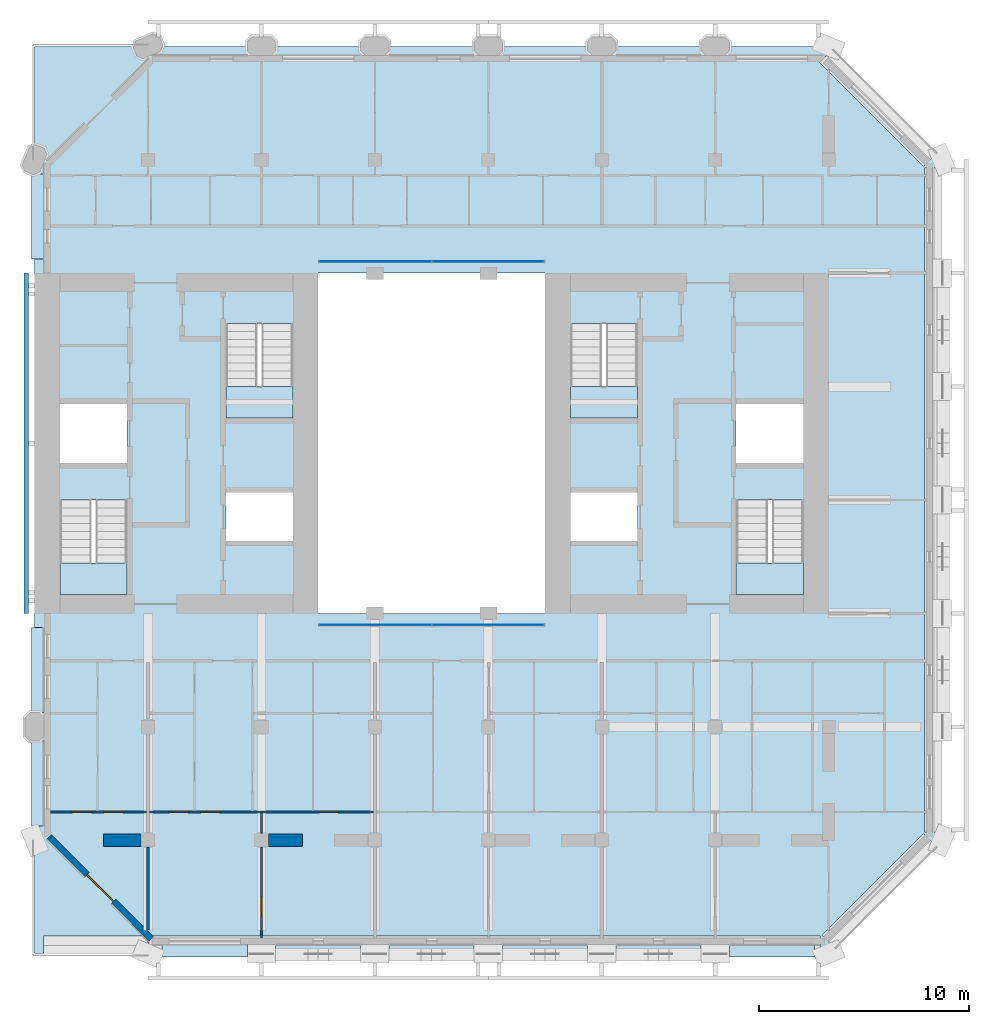
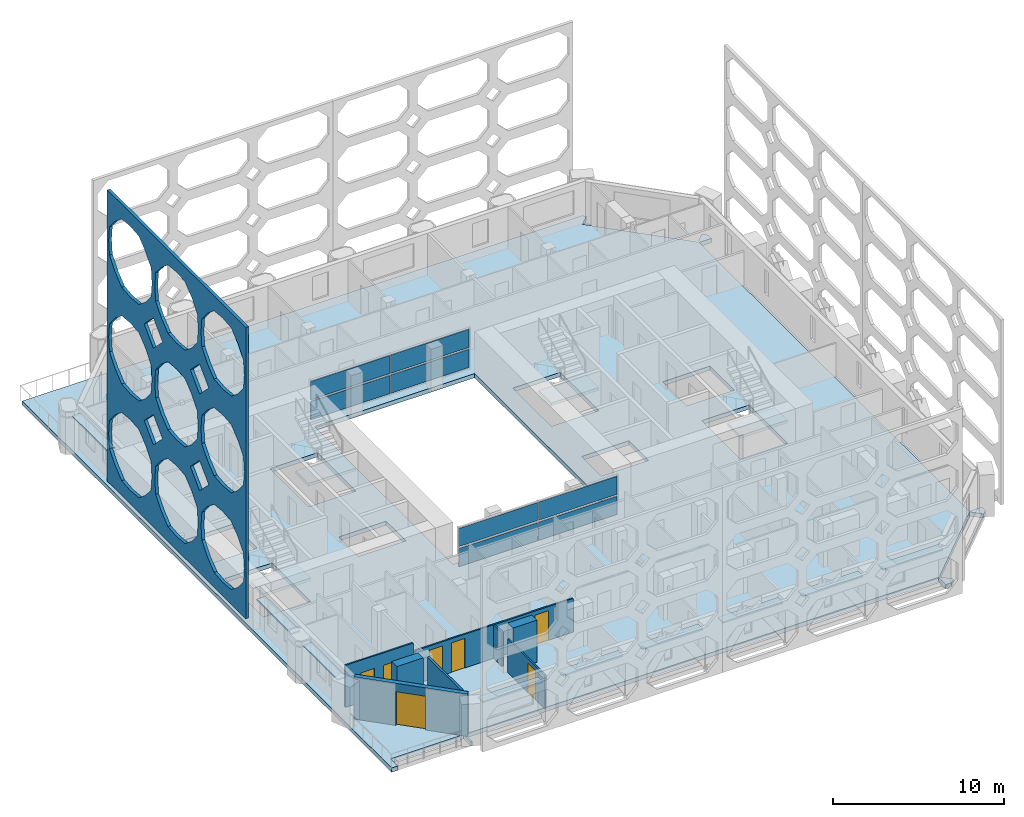
# One storey, part 5 of 15: 18 plates, 8 walls, 7 doors, 5 slabs, 7 openings, 6 elements without a shape of their own.
"""IFC4 building model written with IfcOpenShell, lengths in metres."""

from ifc_helpers import new_model, si_unit, direction, frame, frame_2d, origin, origin_2d, place, context, subcontext, project, spatial, polyline, rectangle, outline, extrude, material, layer, layer_set, type_object, element, fill, aggregate, save


model = new_model("IFC4")

# Units and contexts
model_context = context("Model", 3, precision=1e-05, world=origin(), true_north=direction((0.0, 1.0)))
body_context = subcontext(model_context, "Body", "Model", "MODEL_VIEW")
ifc_project = project(units=[si_unit("LENGTHUNIT", "METRE"), si_unit("AREAUNIT", "SQUARE_METRE"), si_unit("VOLUMEUNIT", "CUBIC_METRE"), si_unit("PLANEANGLEUNIT", "RADIAN"), si_unit("MASSUNIT", "GRAM", prefix="KILO")], contexts=[model_context])

# Site, building, storey
site_placement = place(None, origin())
site = spatial("IfcSite", under=ifc_project, at=site_placement, CompositionType="ELEMENT")
building_placement = place(site_placement, origin())
building = spatial("IfcBuilding", under=site, at=building_placement, Name="Tabaq Tower and Sports Hall", CompositionType="ELEMENT")
storey_placement = place(building_placement, frame((0.0, 0.0, 265.300048828125)))
storey = spatial("IfcBuildingStorey", under=building, at=storey_placement, Name="L64", CompositionType="ELEMENT", Elevation=265.300048828125)

# Curtain wall, plates
ifc_material_1 = material(Name="Aluminium alloy 6063-T6 framed glazing", Category="aluminium")
curtain_wall_type = type_object("IfcCurtainWallType", Name="CW1 curtain wall", PredefinedType="USERDEFINED", material=ifc_material_1)
curtain_wall_1_placement = place(storey_placement, origin())
curtain_wall_1 = element("IfcCurtainWall", 1, at=curtain_wall_1_placement, inside=storey, type_object=curtain_wall_type, Name="Atrium glazing L64 S", ObjectType="ATRIUM ENCLOSURE", PredefinedType="USERDEFINED")
ifc_material_2 = material(Name="Clear low-emissivity glass 28 mm", Category="glass")
ifc_layer_1 = layer(ifc_material_2, 0.028076171875)
ifc_layer_set_1 = layer_set([ifc_layer_1], Name="CW1 glass panel 28")
plate_type_1 = type_object("IfcPlateType", Name="CW1 glass panel 28", PredefinedType="CURTAIN_PANEL", material=ifc_layer_set_1)
plate_1_placement = place(storey_placement, frame((21.614990234375, 15.64990234375, 0.139892578125), z_axis=(0.0, 0.0, 1.0), x_axis=(1.0, 0.0, 0.0)))
plate_1 = element("IfcPlate", 2, at=plate_1_placement, type_object=plate_type_1, Name="CW1 panel 1.1", PredefinedType="CURTAIN_PANEL", context=body_context, shape_type="SweptSolid", body=[
    extrude(rectangle(XDim=5.31005859375, YDim=0.028076171875, at=origin_2d()), origin(), (0.0, 0.0, 1.0), 1.2900390625),
])
plate_2_placement = place(storey_placement, frame((21.614990234375, 15.64990234375, 1.56982421875), z_axis=(0.0, 0.0, 1.0), x_axis=(1.0, 0.0, 0.0)))
plate_2 = element("IfcPlate", 3, at=plate_2_placement, type_object=plate_type_1, Name="CW1 panel 1.2", PredefinedType="CURTAIN_PANEL", context=body_context, shape_type="SweptSolid", body=[
    extrude(rectangle(XDim=5.31005859375, YDim=0.028076171875, at=origin_2d()), origin(), (0.0, 0.0, 1.0), 1.2900390625),
])
plate_3_placement = place(storey_placement, frame((26.985107421875, 15.64990234375, 0.139892578125), z_axis=(0.0, 0.0, 1.0), x_axis=(1.0, 0.0, 0.0)))
plate_3 = element("IfcPlate", 4, at=plate_3_placement, type_object=plate_type_1, Name="CW1 panel 2.1", PredefinedType="CURTAIN_PANEL", context=body_context, shape_type="SweptSolid", body=[
    extrude(rectangle(XDim=5.31005859375, YDim=0.028076171875, at=origin_2d()), origin(), (0.0, 0.0, 1.0), 1.2900390625),
])
plate_4_placement = place(storey_placement, frame((26.985107421875, 15.64990234375, 1.56982421875), z_axis=(0.0, 0.0, 1.0), x_axis=(1.0, 0.0, 0.0)))
plate_4 = element("IfcPlate", 5, at=plate_4_placement, type_object=plate_type_1, Name="CW1 panel 2.2", PredefinedType="CURTAIN_PANEL", context=body_context, shape_type="SweptSolid", body=[
    extrude(rectangle(XDim=5.31005859375, YDim=0.028076171875, at=origin_2d()), origin(), (0.0, 0.0, 1.0), 1.2900390625),
])
aggregate(curtain_wall_1, [plate_1, plate_2, plate_3, plate_4])

curtain_wall_2_placement = place(storey_placement, origin())
curtain_wall_2 = element("IfcCurtainWall", 6, at=curtain_wall_2_placement, inside=storey, type_object=curtain_wall_type, Name="Atrium glazing L64 N", ObjectType="ATRIUM ENCLOSURE", PredefinedType="USERDEFINED")
plate_5_placement = place(storey_placement, frame((21.614990234375, 32.949951171875, 0.139892578125), z_axis=(0.0, 0.0, 1.0), x_axis=(1.0, 0.0, 0.0)))
plate_5 = element("IfcPlate", 7, at=plate_5_placement, type_object=plate_type_1, Name="CW1 panel 1.1", PredefinedType="CURTAIN_PANEL", context=body_context, shape_type="SweptSolid", body=[
    extrude(rectangle(XDim=5.31005859375, YDim=0.028076171875, at=origin_2d()), origin(), (0.0, 0.0, 1.0), 1.2900390625),
])
plate_6_placement = place(storey_placement, frame((21.614990234375, 32.949951171875, 1.56982421875), z_axis=(0.0, 0.0, 1.0), x_axis=(1.0, 0.0, 0.0)))
plate_6 = element("IfcPlate", 8, at=plate_6_placement, type_object=plate_type_1, Name="CW1 panel 1.2", PredefinedType="CURTAIN_PANEL", context=body_context, shape_type="SweptSolid", body=[
    extrude(rectangle(XDim=5.31005859375, YDim=0.028076171875, at=origin_2d()), origin(), (0.0, 0.0, 1.0), 1.2900390625),
])
plate_7_placement = place(storey_placement, frame((26.985107421875, 32.949951171875, 0.139892578125), z_axis=(0.0, 0.0, 1.0), x_axis=(1.0, 0.0, 0.0)))
plate_7 = element("IfcPlate", 9, at=plate_7_placement, type_object=plate_type_1, Name="CW1 panel 2.1", PredefinedType="CURTAIN_PANEL", context=body_context, shape_type="SweptSolid", body=[
    extrude(rectangle(XDim=5.31005859375, YDim=0.028076171875, at=origin_2d()), origin(), (0.0, 0.0, 1.0), 1.2900390625),
])
plate_8_placement = place(storey_placement, frame((26.985107421875, 32.949951171875, 1.56982421875), z_axis=(0.0, 0.0, 1.0), x_axis=(1.0, 0.0, 0.0)))
plate_8 = element("IfcPlate", 10, at=plate_8_placement, type_object=plate_type_1, Name="CW1 panel 2.2", PredefinedType="CURTAIN_PANEL", context=body_context, shape_type="SweptSolid", body=[
    extrude(rectangle(XDim=5.31005859375, YDim=0.028076171875, at=origin_2d()), origin(), (0.0, 0.0, 1.0), 1.2900390625),
])
aggregate(curtain_wall_2, [plate_5, plate_6, plate_7, plate_8])

# Stair, slab
ifc_material_3 = material(Name="Concrete C40/50", Category="concrete")
stair_type = type_object("IfcStairType", Name="Exit stair", PredefinedType="HALF_TURN_STAIR", material=ifc_material_3)
stair_1_placement = place(storey_placement, origin())
stair_1 = element("IfcStair", 11, at=stair_1_placement, inside=storey, type_object=stair_type, Name="L64 Exit stair ST1", PredefinedType="HALF_TURN_STAIR")
ifc_material_4 = material(Name="Concrete C40/50", Category="concrete")
ifc_layer_2 = layer(ifc_material_4, 0.199951171875)
ifc_layer_set_2 = layer_set([ifc_layer_2], Name="Exit stair landing")
slab_type_1 = type_object("IfcSlabType", Name="Exit stair landing", PredefinedType="LANDING", material=ifc_layer_set_2)
slab_1_placement = place(storey_placement, frame((0.0, 0.0, 1.449951171875)))
slab_1 = element("IfcSlab", 12, at=slab_1_placement, type_object=slab_type_1, Name="ST1 landing 1", PredefinedType="LANDING", context=body_context, shape_type="SweptSolid", body=[
    extrude(outline(polyline([(6.60009765625, 18.60009765625), (6.60009765625, 17.10009765625), (9.800048828125, 17.10009765625), (9.800048828125, 18.60009765625), (6.60009765625, 18.60009765625)])), origin(), (0.0, 0.0, 1.0), 0.199951171875),
])
aggregate(stair_1, [slab_1])

stair_2_placement = place(storey_placement, origin())
stair_2 = element("IfcStair", 13, at=stair_2_placement, inside=storey, type_object=stair_type, Name="L64 Exit stair ST2", PredefinedType="HALF_TURN_STAIR")
slab_2_placement = place(storey_placement, frame((0.0, 0.0, 1.449951171875)))
slab_2 = element("IfcSlab", 14, at=slab_2_placement, type_object=slab_type_1, Name="ST2 landing 1", PredefinedType="LANDING", context=body_context, shape_type="SweptSolid", body=[
    extrude(outline(polyline([(14.5, 27.0), (14.5, 25.5), (17.699951171875, 25.5), (17.699951171875, 27.0), (14.5, 27.0)])), origin(), (0.0, 0.0, 1.0), 0.199951171875),
])
aggregate(stair_2, [slab_2])

stair_3_placement = place(storey_placement, origin())
stair_3 = element("IfcStair", 15, at=stair_3_placement, inside=storey, type_object=stair_type, Name="L64 Exit stair ST3", PredefinedType="HALF_TURN_STAIR")
slab_3_placement = place(storey_placement, frame((0.0, 0.0, 1.449951171875)))
slab_3 = element("IfcSlab", 16, at=slab_3_placement, type_object=slab_type_1, Name="ST3 landing 1", PredefinedType="LANDING", context=body_context, shape_type="SweptSolid", body=[
    extrude(outline(polyline([(38.800048828125, 18.60009765625), (38.800048828125, 17.10009765625), (42.0, 17.10009765625), (42.0, 18.60009765625), (38.800048828125, 18.60009765625)])), origin(), (0.0, 0.0, 1.0), 0.199951171875),
])
aggregate(stair_3, [slab_3])

stair_4_placement = place(storey_placement, origin())
stair_4 = element("IfcStair", 17, at=stair_4_placement, inside=storey, type_object=stair_type, Name="L64 Exit stair ST4", PredefinedType="HALF_TURN_STAIR")
slab_4_placement = place(storey_placement, frame((0.0, 0.0, 1.449951171875)))
slab_4 = element("IfcSlab", 18, at=slab_4_placement, type_object=slab_type_1, Name="ST4 landing 1", PredefinedType="LANDING", context=body_context, shape_type="SweptSolid", body=[
    extrude(outline(polyline([(30.89990234375, 27.0), (30.89990234375, 25.5), (34.10009765625, 25.5), (34.10009765625, 27.0), (30.89990234375, 27.0)])), origin(), (0.0, 0.0, 1.0), 0.199951171875),
])
aggregate(stair_4, [slab_4])

# Slab
ifc_material_5 = material(Name="Concrete C40/50", Category="concrete")
ifc_layer_3 = layer(ifc_material_5, 0.300048828125)
ifc_layer_set_3 = layer_set([ifc_layer_3], Name="PT FLOOR SLAB 300 C40/50")
slab_type_2 = type_object("IfcSlabType", Name="PT FLOOR SLAB 300 C40/50", PredefinedType="FLOOR", material=ifc_layer_set_3)
slab_5_placement = place(storey_placement, frame((0.0, 0.0, -0.300048828125)))
element("IfcSlab", 19, at=slab_5_placement, inside=storey, type_object=slab_type_2, Name="Floor Slab L64", PredefinedType="FLOOR", context=body_context, shape_type="SweptSolid", body=[
    extrude(outline(polyline([(5.39990234375, 43.199951171875), (5.39990234375, 37.800048828125), (5.39990234375, 5.39990234375), (5.39990234375, 0.0), (5.81494140625, 0.0), (5.81494140625, 0.75), (5.81494140625, 0.85009765625), (10.75, 0.85009765625), (10.75, 0.75), (10.75, 0.0), (10.800048828125, 0.0), (10.85009765625, 0.0), (10.85009765625, 0.75), (10.85009765625, 0.85009765625), (42.7978515625, 0.85009765625), (42.7978515625, 0.75), (42.7978515625, 0.0), (43.199951171875, 0.0), (43.484375, 0.284423828125), (42.88330078125, 0.88525390625), (47.714599609375, 5.716796875), (47.785400390625, 5.64599609375), (48.315673828125, 5.11572265625), (48.60009765625, 5.39990234375), (48.60009765625, 5.802001953125), (47.85009765625, 5.802001953125), (47.75, 5.802001953125), (47.75, 37.39794921875), (47.85009765625, 37.39794921875), (48.60009765625, 37.39794921875), (48.60009765625, 37.800048828125), (48.315673828125, 38.084228515625), (47.785400390625, 37.553955078125), (47.714599609375, 37.483154296875), (42.775634765625, 42.422119140625), (42.846435546875, 42.492919921875), (43.376708984375, 43.023193359375), (43.199951171875, 43.199951171875), (10.800048828125, 43.199951171875), (5.39990234375, 43.199951171875)]), holes=[polyline([(6.60009765625, 21.599365234375), (9.800048828125, 21.599365234375), (9.800048828125, 17.10009765625), (6.60009765625, 17.10009765625), (6.60009765625, 21.599365234375)]), polyline([(38.800048828125, 21.599365234375), (42.0, 21.599365234375), (42.0, 17.10009765625), (38.800048828125, 17.10009765625), (38.800048828125, 21.599365234375)]), polyline([(14.5, 21.949951171875), (17.699951171875, 21.949951171875), (17.699951171875, 19.64990234375), (14.5, 19.64990234375), (14.5, 21.949951171875)]), polyline([(30.89990234375, 21.949951171875), (34.10009765625, 21.949951171875), (34.10009765625, 19.64990234375), (30.89990234375, 19.64990234375), (30.89990234375, 21.949951171875)]), polyline([(18.89990234375, 16.199951171875), (18.89990234375, 32.39990234375), (29.699951171875, 32.39990234375), (29.699951171875, 16.199951171875), (18.89990234375, 16.199951171875)]), polyline([(6.60009765625, 26.175048828125), (9.800048828125, 26.175048828125), (9.800048828125, 23.35009765625), (6.60009765625, 23.35009765625), (6.60009765625, 26.175048828125)]), polyline([(38.800048828125, 26.175048828125), (42.0, 26.175048828125), (42.0, 23.35009765625), (38.800048828125, 23.35009765625), (38.800048828125, 26.175048828125)]), polyline([(17.699951171875, 29.99951171875), (17.699951171875, 25.5), (14.5, 25.5), (14.5, 29.99951171875), (17.699951171875, 29.99951171875)]), polyline([(34.10009765625, 29.99951171875), (34.10009765625, 25.5), (30.89990234375, 25.5), (30.89990234375, 29.99951171875), (34.10009765625, 29.99951171875)])]), origin(), (0.0, 0.0, 1.0), 0.300048828125),
])

# Plates
ifc_material_6 = material(Name="White precast concrete C60/75 pierced screen", Category="concrete")
ifc_layer_4 = layer(ifc_material_6, 0.199951171875)
ifc_layer_set_4 = layer_set([ifc_layer_4], Name="White precast concrete C60/75 girih screen 200")
plate_type_2 = type_object("IfcPlateType", Name="White precast concrete C60/75 girih screen 200", PredefinedType="USERDEFINED", material=ifc_layer_set_4)
plate_9_placement = place(storey_placement, frame((5.0, 32.39990234375, 1.0), z_axis=(0.0, 0.0, 1.0), x_axis=(0.0, -1.0, 0.0)))
element("IfcPlate", 20, at=plate_9_placement, inside=storey, type_object=plate_type_2, Name="Girih screen R1 W", ObjectType="SCREEN", PredefinedType="USERDEFINED", context=body_context, shape_type="SweptSolid", body=[
    extrude(outline(polyline([(0.0, 0.0), (16.199951171875, 0.0), (16.199951171875, 20.800048828125), (0.0, 20.800048828125), (0.0, 0.0)]), holes=[polyline([(5.134521484375, 4.50830078125), (4.48876953125, 5.288818359375), (3.70849609375, 5.9345703125), (2.699951171875, 6.02978515625), (1.691650390625, 5.9345703125), (0.9111328125, 5.288818359375), (0.265380859375, 4.50830078125), (0.170166015625, 3.5), (0.265380859375, 2.491455078125), (0.9111328125, 1.711181640625), (1.691650390625, 1.0654296875), (2.699951171875, 0.97021484375), (3.70849609375, 1.0654296875), (4.48876953125, 1.711181640625), (5.134521484375, 2.491455078125), (5.229736328125, 3.5), (5.134521484375, 4.50830078125)]), polyline([(5.134521484375, 11.408447265625), (4.48876953125, 12.188720703125), (3.70849609375, 12.83447265625), (2.699951171875, 12.9296875), (1.691650390625, 12.83447265625), (0.9111328125, 12.188720703125), (0.265380859375, 11.408447265625), (0.170166015625, 10.39990234375), (0.265380859375, 9.3916015625), (0.9111328125, 8.611083984375), (1.691650390625, 7.96533203125), (2.699951171875, 7.8701171875), (3.70849609375, 7.96533203125), (4.48876953125, 8.611083984375), (5.134521484375, 9.3916015625), (5.229736328125, 10.39990234375), (5.134521484375, 11.408447265625)]), polyline([(5.134521484375, 18.308349609375), (4.48876953125, 19.0888671875), (3.70849609375, 19.734619140625), (2.699951171875, 19.829833984375), (1.691650390625, 19.734619140625), (0.9111328125, 19.0888671875), (0.265380859375, 18.308349609375), (0.170166015625, 17.300048828125), (0.265380859375, 16.29150390625), (0.9111328125, 15.51123046875), (1.691650390625, 14.865234375), (2.699951171875, 14.770263671875), (3.70849609375, 14.865234375), (4.48876953125, 15.51123046875), (5.134521484375, 16.29150390625), (5.229736328125, 17.300048828125), (5.134521484375, 18.308349609375)]), polyline([(10.53466796875, 4.50830078125), (9.888916015625, 5.288818359375), (9.1083984375, 5.9345703125), (8.10009765625, 6.02978515625), (7.091552734375, 5.9345703125), (6.311279296875, 5.288818359375), (5.665283203125, 4.50830078125), (5.5703125, 3.5), (5.665283203125, 2.491455078125), (6.311279296875, 1.711181640625), (7.091552734375, 1.0654296875), (8.10009765625, 0.97021484375), (9.1083984375, 1.0654296875), (9.888916015625, 1.711181640625), (10.53466796875, 2.491455078125), (10.6298828125, 3.5), (10.53466796875, 4.50830078125)]), polyline([(10.53466796875, 11.408447265625), (9.888916015625, 12.188720703125), (9.1083984375, 12.83447265625), (8.10009765625, 12.9296875), (7.091552734375, 12.83447265625), (6.311279296875, 12.188720703125), (5.665283203125, 11.408447265625), (5.5703125, 10.39990234375), (5.665283203125, 9.3916015625), (6.311279296875, 8.611083984375), (7.091552734375, 7.96533203125), (8.10009765625, 7.8701171875), (9.1083984375, 7.96533203125), (9.888916015625, 8.611083984375), (10.53466796875, 9.3916015625), (10.6298828125, 10.39990234375), (10.53466796875, 11.408447265625)]), polyline([(10.53466796875, 18.308349609375), (9.888916015625, 19.0888671875), (9.1083984375, 19.734619140625), (8.10009765625, 19.829833984375), (7.091552734375, 19.734619140625), (6.311279296875, 19.0888671875), (5.665283203125, 18.308349609375), (5.5703125, 17.300048828125), (5.665283203125, 16.29150390625), (6.311279296875, 15.51123046875), (7.091552734375, 14.865234375), (8.10009765625, 14.770263671875), (9.1083984375, 14.865234375), (9.888916015625, 15.51123046875), (10.53466796875, 16.29150390625), (10.6298828125, 17.300048828125), (10.53466796875, 18.308349609375)]), polyline([(15.9345703125, 4.50830078125), (15.288818359375, 5.288818359375), (14.508544921875, 5.9345703125), (13.5, 6.02978515625), (12.491455078125, 5.9345703125), (11.711181640625, 5.288818359375), (11.0654296875, 4.50830078125), (10.97021484375, 3.5), (11.0654296875, 2.491455078125), (11.711181640625, 1.711181640625), (12.491455078125, 1.0654296875), (13.5, 0.97021484375), (14.508544921875, 1.0654296875), (15.288818359375, 1.711181640625), (15.9345703125, 2.491455078125), (16.02978515625, 3.5), (15.9345703125, 4.50830078125)]), polyline([(15.9345703125, 11.408447265625), (15.288818359375, 12.188720703125), (14.508544921875, 12.83447265625), (13.5, 12.9296875), (12.491455078125, 12.83447265625), (11.711181640625, 12.188720703125), (11.0654296875, 11.408447265625), (10.97021484375, 10.39990234375), (11.0654296875, 9.3916015625), (11.711181640625, 8.611083984375), (12.491455078125, 7.96533203125), (13.5, 7.8701171875), (14.508544921875, 7.96533203125), (15.288818359375, 8.611083984375), (15.9345703125, 9.3916015625), (16.02978515625, 10.39990234375), (15.9345703125, 11.408447265625)]), polyline([(15.9345703125, 18.308349609375), (15.288818359375, 19.0888671875), (14.508544921875, 19.734619140625), (13.5, 19.829833984375), (12.491455078125, 19.734619140625), (11.711181640625, 19.0888671875), (11.0654296875, 18.308349609375), (10.97021484375, 17.300048828125), (11.0654296875, 16.29150390625), (11.711181640625, 15.51123046875), (12.491455078125, 14.865234375), (13.5, 14.770263671875), (14.508544921875, 14.865234375), (15.288818359375, 15.51123046875), (15.9345703125, 16.29150390625), (16.02978515625, 17.300048828125), (15.9345703125, 18.308349609375)]), polyline([(6.47998046875, 6.949951171875), (5.39990234375, 8.030029296875), (4.320068359375, 6.949951171875), (5.39990234375, 5.869873046875), (6.47998046875, 6.949951171875)]), polyline([(6.47998046875, 13.849853515625), (5.39990234375, 14.929931640625), (4.320068359375, 13.849853515625), (5.39990234375, 12.77001953125), (6.47998046875, 13.849853515625)]), polyline([(11.8798828125, 6.949951171875), (10.800048828125, 8.030029296875), (9.719970703125, 6.949951171875), (10.800048828125, 5.869873046875), (11.8798828125, 6.949951171875)]), polyline([(11.8798828125, 13.849853515625), (10.800048828125, 14.929931640625), (9.719970703125, 13.849853515625), (10.800048828125, 12.77001953125), (11.8798828125, 13.849853515625)])]), frame((0.0, 0.10009765625, 0.0), z_axis=(0.0, -1.0, 0.0), x_axis=(1.0, 0.0, 0.0)), (0.0, 0.0, 1.0), 0.199951171875),
])
ifc_material_7 = material(Name="White precast concrete C60/75 blade", Category="concrete")
ifc_layer_5 = layer(ifc_material_7, 0.10009765625)
ifc_layer_set_5 = layer_set([ifc_layer_5], Name="White precast concrete C60/75 sunshade 100")
plate_type_3 = type_object("IfcPlateType", Name="White precast concrete C60/75 sunshade 100", PredefinedType="USERDEFINED", material=ifc_layer_set_5)
for number, where, z_axis, x_axis, name in (
    (21, (13.5, 0.14990234375, 2.599853515625), (0.0, 0.0, 1.0), (1.0, 0.0, 0.0), "Sunshade L64 S"),
    (22, (18.89990234375, 0.14990234375, 2.599853515625), (0.0, 0.0, 1.0), (1.0, 0.0, 0.0), "Sunshade L64 S"),
    (23, (24.300048828125, 0.14990234375, 2.599853515625), (0.0, 0.0, 1.0), (1.0, 0.0, 0.0), "Sunshade L64 S"),
    (24, (29.699951171875, 0.14990234375, 2.599853515625), (0.0, 0.0, 1.0), (1.0, 0.0, 0.0), "Sunshade L64 S"),
    (25, (35.10009765625, 0.14990234375, 2.599853515625), (0.0, 0.0, 1.0), (1.0, 0.0, 0.0), "Sunshade L64 S"),
    (26, (40.5, 0.14990234375, 2.599853515625), (0.0, 0.0, 1.0), (1.0, 0.0, 0.0), "Sunshade L64 S"),
    (27, (5.550048828125, 35.10009765625, 2.599853515625), (0.0, 0.0, 1.0), (0.0, -1.0, 0.0), "Sunshade L64 W"),
    (28, (5.550048828125, 13.5, 2.599853515625), (0.0, 0.0, 1.0), (0.0, -1.0, 0.0), "Sunshade L64 W"),
    (29, (5.550048828125, 8.10009765625, 2.599853515625), (0.0, 0.0, 1.0), (0.0, -1.0, 0.0), "Sunshade L64 W"),
):
    element("IfcPlate", number, at=place(storey_placement, frame(where, z_axis=z_axis, x_axis=x_axis)), inside=storey, type_object=plate_type_3, Name=name, ObjectType="SUNSHADE", PredefinedType="USERDEFINED", context=body_context, shape_type="SweptSolid", body=[
        extrude(rectangle(XDim=4.050048828125, YDim=0.60009765625, at=origin_2d()), origin(), (0.0, 0.0, 1.0), 0.10009765625),
    ])

# Wall, openings, doors
ifc_material_8 = material(Name="Gypsum board on steel studs", Category="steel")
ifc_layer_6 = layer(ifc_material_8, 0.10009765625)
ifc_layer_set_6 = layer_set([ifc_layer_6], Name="Partition 100 Gypsum board")
wall_type_1 = type_object("IfcWallType", Name="Partition 100 Gypsum board", PredefinedType="PARTITIONING", material=ifc_layer_set_6)
wall_1_placement = place(storey_placement, frame((10.72509765625, 6.75, 0.0), z_axis=(0.0, 0.0, 1.0), x_axis=(-1.0, 0.0, 0.0)))
wall_1 = element("IfcWall", 30, at=wall_1_placement, inside=storey, type_object=wall_type_1, Name="Partition wall L64", PredefinedType="PARTITIONING", context=body_context, shape_type="SweptSolid", body=[
    extrude(rectangle(XDim=4.57421875, YDim=0.10009765625, at=frame_2d((2.287109375, 0.0))), origin(), (0.0, 0.0, 1.0), 3.0),
])
opening_1_placement = place(wall_1_placement, frame((2.625, 0.0, 0.0)))
opening_1 = element("IfcOpeningElement", 31, at=opening_1_placement, cuts=wall_1, Name="Opening L64-035", PredefinedType="OPENING", context=body_context, shape_type="SweptSolid", body=[
    extrude(rectangle(XDim=0.89990234375, YDim=2.10009765625, at=frame_2d((0.449951171875, 1.050048828125))), frame((0.0, 0.050048828125, 0.0), z_axis=(0.0, -1.0, 0.0), x_axis=(1.0, 0.0, 0.0)), (0.0, 0.0, 1.0), 0.10009765625),
])
opening_2_placement = place(wall_1_placement, frame((1.125, 0.0, 0.0)))
opening_2 = element("IfcOpeningElement", 32, at=opening_2_placement, cuts=wall_1, Name="Opening L64-053", PredefinedType="OPENING", context=body_context, shape_type="SweptSolid", body=[
    extrude(rectangle(XDim=0.89990234375, YDim=2.10009765625, at=frame_2d((0.449951171875, 1.050048828125))), frame((0.0, 0.050048828125, 0.0), z_axis=(0.0, -1.0, 0.0), x_axis=(1.0, 0.0, 0.0)), (0.0, 0.0, 1.0), 0.10009765625),
])
ifc_material_9 = material(Name="Timber leaf in steel frame", Category="steel")
door_type_1 = type_object("IfcDoorType", Name="Internal door 900 left hand", OperationType="SINGLE_SWING_LEFT", PredefinedType="DOOR", material=ifc_material_9)
door_1_placement = place(opening_2_placement, origin())
door_1 = element("IfcDoor", 33, at=door_1_placement, inside=storey, type_object=door_type_1, Name="Internal door L64-053", OperationType="SINGLE_SWING_LEFT", OverallHeight=2.10009765625, OverallWidth=0.89990234375, PredefinedType="DOOR", context=body_context, shape_type="SweptSolid", body=[
    extrude(rectangle(XDim=0.89990234375, YDim=2.10009765625, at=frame_2d((0.449951171875, 1.050048828125))), frame((0.0, 0.02490234375, 0.0), z_axis=(0.0, -1.0, 0.0), x_axis=(1.0, 0.0, 0.0)), (0.0, 0.0, 1.0), 0.050048828125),
])
fill(opening_2, door_1)
ifc_material_10 = material(Name="Timber leaf in steel frame", Category="steel")
door_type_2 = type_object("IfcDoorType", Name="Internal door 900 right hand", OperationType="SINGLE_SWING_RIGHT", PredefinedType="DOOR", material=ifc_material_10)
door_2_placement = place(opening_1_placement, origin())
door_2 = element("IfcDoor", 34, at=door_2_placement, inside=storey, type_object=door_type_2, Name="Internal door L64-035", OperationType="SINGLE_SWING_RIGHT", OverallHeight=2.10009765625, OverallWidth=0.89990234375, PredefinedType="DOOR", context=body_context, shape_type="SweptSolid", body=[
    extrude(rectangle(XDim=0.89990234375, YDim=2.10009765625, at=frame_2d((0.449951171875, 1.050048828125))), frame((0.0, 0.02490234375, 0.0), z_axis=(0.0, -1.0, 0.0), x_axis=(1.0, 0.0, 0.0)), (0.0, 0.0, 1.0), 0.050048828125),
])
fill(opening_1, door_2)

wall_2_placement = place(storey_placement, frame((21.52490234375, 6.75, 0.0), z_axis=(0.0, 0.0, 1.0), x_axis=(-1.0, 0.0, 0.0)))
wall_2 = element("IfcWall", 35, at=wall_2_placement, inside=storey, type_object=wall_type_1, Name="Partition wall L64", PredefinedType="PARTITIONING", context=body_context, shape_type="SweptSolid", body=[
    extrude(rectangle(XDim=10.64990234375, YDim=0.10009765625, at=frame_2d((5.324951171875, 0.0))), origin(), (0.0, 0.0, 1.0), 2.39990234375),
])
opening_3_placement = place(wall_2_placement, frame((8.81298828125, 0.0, 0.0)))
opening_3 = element("IfcOpeningElement", 36, at=opening_3_placement, cuts=wall_2, Name="Opening L64-038", PredefinedType="OPENING", context=body_context, shape_type="SweptSolid", body=[
    extrude(rectangle(XDim=0.89990234375, YDim=2.10009765625, at=frame_2d((0.449951171875, 1.050048828125))), frame((0.0, 0.050048828125, 0.0), z_axis=(0.0, -1.0, 0.0), x_axis=(1.0, 0.0, 0.0)), (0.0, 0.0, 1.0), 0.10009765625),
])
opening_4_placement = place(wall_2_placement, frame((1.675048828125, 0.0, 0.0)))
opening_4 = element("IfcOpeningElement", 37, at=opening_4_placement, cuts=wall_2, Name="Opening L64-039", PredefinedType="OPENING", context=body_context, shape_type="SweptSolid", body=[
    extrude(rectangle(XDim=0.89990234375, YDim=2.10009765625, at=frame_2d((0.449951171875, 1.050048828125))), frame((0.0, 0.050048828125, 0.0), z_axis=(0.0, -1.0, 0.0), x_axis=(1.0, 0.0, 0.0)), (0.0, 0.0, 1.0), 0.10009765625),
])
opening_5_placement = place(wall_2_placement, frame((7.31298828125, 0.0, 0.0)))
opening_5 = element("IfcOpeningElement", 38, at=opening_5_placement, cuts=wall_2, Name="Opening L64-054", PredefinedType="OPENING", context=body_context, shape_type="SweptSolid", body=[
    extrude(rectangle(XDim=0.89990234375, YDim=2.10009765625, at=frame_2d((0.449951171875, 1.050048828125))), frame((0.0, 0.050048828125, 0.0), z_axis=(0.0, -1.0, 0.0), x_axis=(1.0, 0.0, 0.0)), (0.0, 0.0, 1.0), 0.10009765625),
])
door_3_placement = place(opening_4_placement, origin())
door_3 = element("IfcDoor", 39, at=door_3_placement, inside=storey, type_object=door_type_1, Name="Internal door L64-039", OperationType="SINGLE_SWING_LEFT", OverallHeight=2.10009765625, OverallWidth=0.89990234375, PredefinedType="DOOR", context=body_context, shape_type="SweptSolid", body=[
    extrude(rectangle(XDim=0.89990234375, YDim=2.10009765625, at=frame_2d((0.449951171875, 1.050048828125))), frame((0.0, 0.02490234375, 0.0), z_axis=(0.0, -1.0, 0.0), x_axis=(1.0, 0.0, 0.0)), (0.0, 0.0, 1.0), 0.050048828125),
])
fill(opening_4, door_3)
door_4_placement = place(opening_5_placement, origin())
door_4 = element("IfcDoor", 40, at=door_4_placement, inside=storey, type_object=door_type_1, Name="Internal door L64-054", OperationType="SINGLE_SWING_LEFT", OverallHeight=2.10009765625, OverallWidth=0.89990234375, PredefinedType="DOOR", context=body_context, shape_type="SweptSolid", body=[
    extrude(rectangle(XDim=0.89990234375, YDim=2.10009765625, at=frame_2d((0.449951171875, 1.050048828125))), frame((0.0, 0.02490234375, 0.0), z_axis=(0.0, -1.0, 0.0), x_axis=(1.0, 0.0, 0.0)), (0.0, 0.0, 1.0), 0.050048828125),
])
fill(opening_5, door_4)
door_5_placement = place(opening_3_placement, origin())
door_5 = element("IfcDoor", 41, at=door_5_placement, inside=storey, type_object=door_type_2, Name="Internal door L64-038", OperationType="SINGLE_SWING_RIGHT", OverallHeight=2.10009765625, OverallWidth=0.89990234375, PredefinedType="DOOR", context=body_context, shape_type="SweptSolid", body=[
    extrude(rectangle(XDim=0.89990234375, YDim=2.10009765625, at=frame_2d((0.449951171875, 1.050048828125))), frame((0.0, 0.02490234375, 0.0), z_axis=(0.0, -1.0, 0.0), x_axis=(1.0, 0.0, 0.0)), (0.0, 0.0, 1.0), 0.050048828125),
])
fill(opening_3, door_5)

# Wall, opening, door
wall_3_placement = place(storey_placement, frame((16.199951171875, 0.7509765625, 0.0), z_axis=(0.0, 0.0, 1.0), x_axis=(0.0, 1.0, 0.0)))
wall_3 = element("IfcWall", 42, at=wall_3_placement, inside=storey, type_object=wall_type_1, Name="Partition wall L64", PredefinedType="PARTITIONING", context=body_context, shape_type="SweptSolid", body=[
    extrude(rectangle(XDim=4.303955078125, YDim=0.10009765625, at=frame_2d((2.15185546875, 0.0))), origin(), (0.0, 0.0, 1.0), 2.39990234375),
])
opening_6_placement = place(wall_3_placement, frame((1.049072265625, 0.0, 0.0)))
opening_6 = element("IfcOpeningElement", 43, at=opening_6_placement, cuts=wall_3, Name="Opening L64-037", PredefinedType="OPENING", context=body_context, shape_type="SweptSolid", body=[
    extrude(rectangle(XDim=0.89990234375, YDim=2.10009765625, at=frame_2d((0.449951171875, 1.050048828125))), frame((0.0, 0.050048828125, 0.0), z_axis=(0.0, -1.0, 0.0), x_axis=(1.0, 0.0, 0.0)), (0.0, 0.0, 1.0), 0.10009765625),
])
door_6_placement = place(opening_6_placement, origin())
door_6 = element("IfcDoor", 44, at=door_6_placement, inside=storey, type_object=door_type_1, Name="Internal door L64-037", OperationType="SINGLE_SWING_LEFT", OverallHeight=2.10009765625, OverallWidth=0.89990234375, PredefinedType="DOOR", context=body_context, shape_type="SweptSolid", body=[
    extrude(rectangle(XDim=0.89990234375, YDim=2.10009765625, at=frame_2d((0.449951171875, 1.050048828125))), frame((0.0, 0.02490234375, 0.0), z_axis=(0.0, -1.0, 0.0), x_axis=(1.0, 0.0, 0.0)), (0.0, 0.0, 1.0), 0.050048828125),
])
fill(opening_6, door_6)

# Walls
wall_4_placement = place(storey_placement, frame((16.199951171875, 5.7451171875, 0.0), z_axis=(0.0, 0.0, 1.0), x_axis=(0.0, 1.0, 0.0)))
element("IfcWall", 45, at=wall_4_placement, inside=storey, type_object=wall_type_1, Name="Partition wall L64", PredefinedType="PARTITIONING", context=body_context, shape_type="SweptSolid", body=[
    extrude(rectangle(XDim=0.954833984375, YDim=0.10009765625, at=frame_2d((0.4775390625, 0.0))), origin(), (0.0, 0.0, 1.0), 2.39990234375),
])
ifc_material_11 = material(Name="Concrete C40/50", Category="concrete")
ifc_layer_7 = layer(ifc_material_11, 0.60009765625)
ifc_layer_set_7 = layer_set([ifc_layer_7], Name="RC TRANSFER WALL 600 C40/50")
wall_type_2 = type_object("IfcWallType", Name="RC TRANSFER WALL 600 C40/50", PredefinedType="SHEAR", material=ifc_layer_set_7)
wall_5_placement = place(storey_placement, frame((8.6875, 5.39990234375, 0.0), z_axis=(0.0, 0.0, 1.0), x_axis=(1.0, 0.0, 0.0)))
element("IfcWall", 46, at=wall_5_placement, inside=storey, type_object=wall_type_2, Name="Transfer Wall L64 South 6", PredefinedType="SHEAR", context=body_context, shape_type="SweptSolid", body=[
    extrude(rectangle(XDim=1.78759765625, YDim=0.60009765625, at=frame_2d((0.893798828125, 0.0))), origin(), (0.0, 0.0, 1.0), 3.0),
])
wall_6_placement = place(storey_placement, frame((16.52490234375, 5.39990234375, 0.0), z_axis=(0.0, 0.0, 1.0), x_axis=(1.0, 0.0, 0.0)))
element("IfcWall", 47, at=wall_6_placement, inside=storey, type_object=wall_type_2, Name="Transfer Wall L64 South 7", PredefinedType="SHEAR", context=body_context, shape_type="SweptSolid", body=[
    extrude(rectangle(XDim=1.625, YDim=0.60009765625, at=frame_2d((0.8125, 0.0))), origin(), (0.0, 0.0, 1.0), 3.0),
])
ifc_material_12 = material(Name="Blockwork", Category="masonry")
ifc_layer_8 = layer(ifc_material_12, 0.14990234375)
ifc_layer_set_8 = layer_set([ifc_layer_8], Name="Separating wall 150 Blockwork")
wall_type_3 = type_object("IfcWallType", Name="Separating wall 150 Blockwork", PredefinedType="PARTITIONING", material=ifc_layer_set_8)
wall_7_placement = place(storey_placement, frame((10.800048828125, 1.13720703125, 0.0), z_axis=(0.0, 0.0, 1.0), x_axis=(0.0, 1.0, 0.0)))
element("IfcWall", 48, at=wall_7_placement, inside=storey, type_object=wall_type_3, Name="Separating wall L64", PredefinedType="PARTITIONING", context=body_context, shape_type="SweptSolid", body=[
    extrude(rectangle(XDim=3.917724609375, YDim=0.14990234375, at=frame_2d((1.958984375, 0.0))), origin(), (0.0, 0.0, 1.0), 3.0),
])

# Wall, opening, door
ifc_material_13 = material(Name="White precast concrete C60/75", Category="concrete")
ifc_layer_9 = layer(ifc_material_13, 0.300048828125)
ifc_layer_set_9 = layer_set([ifc_layer_9], Name="White precast concrete C60/75 external wall 300")
wall_type_4 = type_object("IfcWallType", Name="White precast concrete C60/75 external wall 300", PredefinedType="SOLIDWALL", material=ifc_layer_set_9)
wall_8_placement = place(storey_placement, frame((6.098876953125, 5.549560546875, 0.0), z_axis=(0.0, 0.0, 1.0), x_axis=(0.707106781187, -0.707106781187, 0.0)))
wall_8 = element("IfcWall", 49, at=wall_8_placement, inside=storey, type_object=wall_type_4, Name="External Wall L64 SW", PredefinedType="SOLIDWALL", context=body_context, shape_type="SweptSolid", body=[
    extrude(rectangle(XDim=6.85986328125, YDim=0.300048828125, at=frame_2d((3.429931640625, 0.0))), origin(), (0.0, 0.0, 1.0), 3.0),
])
opening_7_placement = place(wall_8_placement, frame((2.52978515625, 0.0, 0.0)))
opening_7 = element("IfcOpeningElement", 50, at=opening_7_placement, cuts=wall_8, Name="Opening TD6402", PredefinedType="OPENING", context=body_context, shape_type="SweptSolid", body=[
    extrude(rectangle(XDim=1.800048828125, YDim=2.39990234375, at=frame_2d((0.89990234375, 1.199951171875))), frame((0.0, 0.16015625, 0.0), z_axis=(0.0, -1.0, 0.0), x_axis=(1.0, 0.0, 0.0)), (0.0, 0.0, 1.0), 0.320068359375),
])
ifc_material_14 = material(Name="Aluminium framed clear glazing", Category="aluminium")
door_type_3 = type_object("IfcDoorType", Name="Terrace door TD1", OperationType="DOUBLE_DOOR_DOUBLE_SWING", PredefinedType="DOOR", material=ifc_material_14)
door_7_placement = place(opening_7_placement, origin())
door_7 = element("IfcDoor", 51, at=door_7_placement, inside=storey, type_object=door_type_3, Name="Terrace door TD6402", OperationType="DOUBLE_DOOR_DOUBLE_SWING", OverallHeight=2.39990234375, OverallWidth=1.800048828125, PredefinedType="DOOR", context=body_context, shape_type="SweptSolid", body=[
    extrude(rectangle(XDim=1.800048828125, YDim=2.39990234375, at=frame_2d((0.89990234375, 1.199951171875))), frame((0.0, 0.02490234375, 0.0), z_axis=(0.0, -1.0, 0.0), x_axis=(1.0, 0.0, 0.0)), (0.0, 0.0, 1.0), 0.050048828125),
])
fill(opening_7, door_7)

save(model, "model.ifc")
